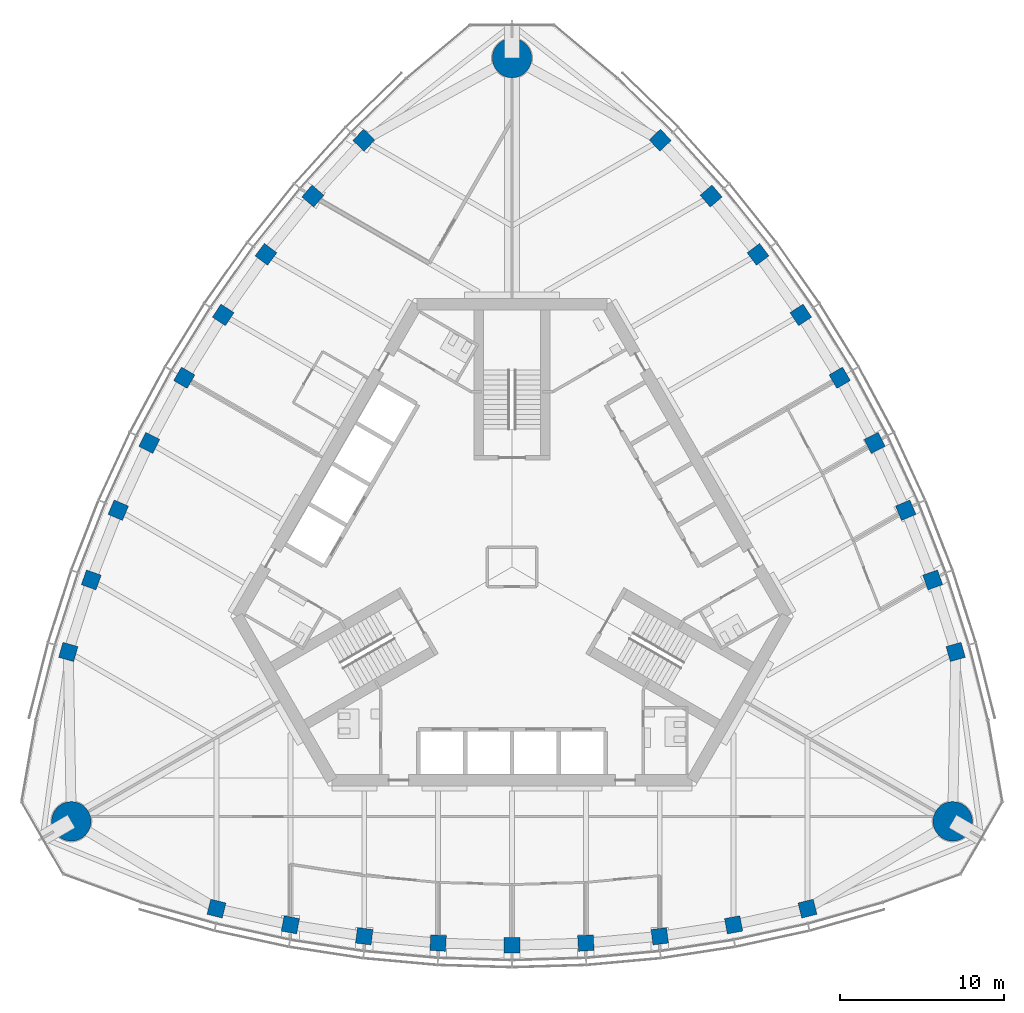
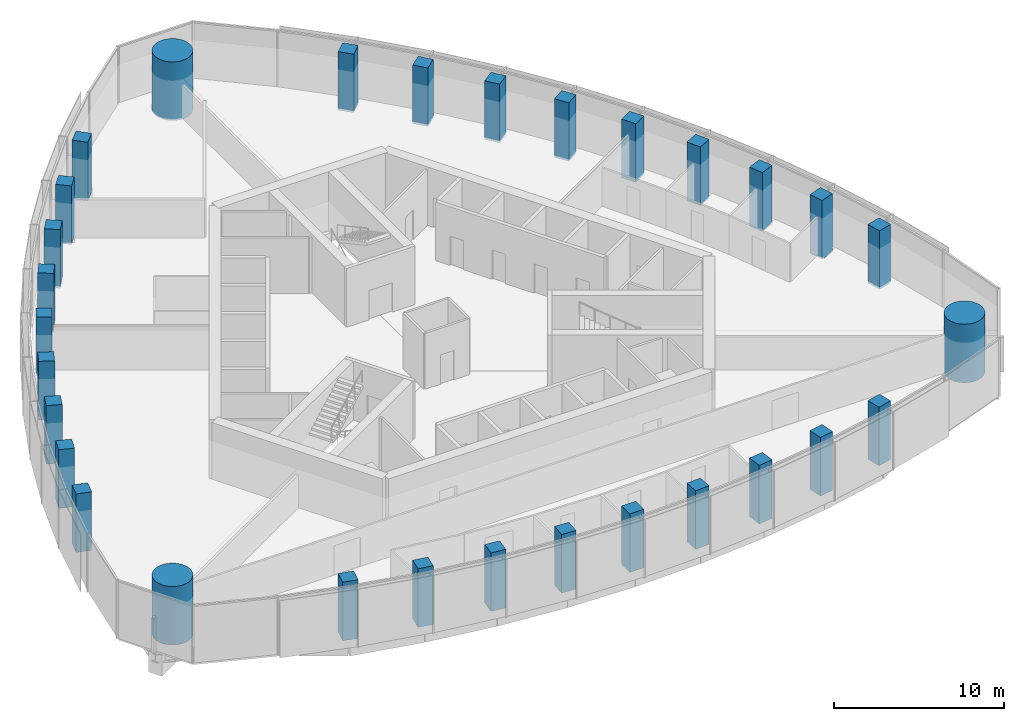
# One storey, part 1 of 16: 30 columns.
"""IFC4 building model written with IfcOpenShell, lengths in metres."""

from ifc_helpers import new_model, si_unit, direction, frame, origin, origin_2d, place, context, subcontext, project, spatial, rectangle, circle, extrude, material, material_profile, profile_set, type_object, element, save


model = new_model("IFC4")

# Units and contexts
model_context = context("Model", 3, precision=1e-05, world=origin(), true_north=direction((0.0, 1.0)))
body_context = subcontext(model_context, "Body", "Model", "MODEL_VIEW")
ifc_project = project(units=[si_unit("LENGTHUNIT", "METRE"), si_unit("AREAUNIT", "SQUARE_METRE"), si_unit("VOLUMEUNIT", "CUBIC_METRE"), si_unit("PLANEANGLEUNIT", "RADIAN"), si_unit("MASSUNIT", "GRAM", prefix="KILO")], contexts=[model_context])

# Site, building, storey
site_placement = place(None, origin())
site = spatial("IfcSite", under=ifc_project, at=site_placement, CompositionType="ELEMENT")
building_placement = place(site_placement, origin())
building = spatial("IfcBuilding", under=site, at=building_placement, Name="Trefoil Bronze Tower", CompositionType="ELEMENT")
storey_placement = place(building_placement, frame((0.0, 0.0, 293.10009765625)))
storey = spatial("IfcBuildingStorey", under=building, at=storey_placement, Name="L67", CompositionType="ELEMENT", Elevation=293.10009765625)

# Columns
ifc_material_1 = material(Name="Concrete B80", Category="concrete")
ifc_material_profile_1 = material_profile(ifc_material_1, circle(Radius=1.199951171875, at=origin_2d()), Name="RC D2400")
ifc_profile_set_1 = profile_set([ifc_material_profile_1], Name="Concrete B80")
column_type_1 = type_object("IfcColumnType", Name="Mega column RC D2400", PredefinedType="COLUMN", material=ifc_profile_set_1)
for number, where, z_axis, x_axis, name in (
    (1, (26.8466796875, -15.5, 0.0), (0.0, 0.0, 1.0), (1.0, 0.0, 0.0), "Mega column K1 L67"),
    (2, (0.0, 31.0, 0.0), (0.0, 0.0, 1.0), (1.0, 0.0, 0.0), "Mega column K2 L67"),
    (3, (-26.8466796875, -15.5, 0.0), (0.0, 0.0, 1.0), (1.0, 0.0, 0.0), "Mega column K3 L67"),
):
    element("IfcColumn", number, at=place(storey_placement, frame(where, z_axis=z_axis, x_axis=x_axis)), inside=storey, type_object=column_type_1, Name=name, PredefinedType="COLUMN", context=body_context, shape_type="SweptSolid", body=[
        extrude(circle(Radius=1.199951171875, at=origin_2d()), origin(), (0.0, 0.0, 1.0), 4.199951171875),
    ])
ifc_material_2 = material(Name="Concrete B80", Category="concrete")
ifc_material_profile_2 = material_profile(ifc_material_2, rectangle(XDim=0.949951171875, YDim=0.949951171875, at=origin_2d()), Name="RC 950x950")
ifc_profile_set_2 = profile_set([ifc_material_profile_2], Name="Concrete B80")
column_type_2 = type_object("IfcColumnType", Name="Tube column RC 950x950", PredefinedType="COLUMN", material=ifc_profile_set_2)
for number, where, z_axis, x_axis, name in (
    (4, (-18.0, -20.816162109375, 0.0), (0.0, 0.0, 1.0), (0.97017777199, -0.242394494031, 0.0), "Tube column F1/-4 L67"),
    (5, (-13.5, -21.802734375, 0.0), (0.0, 0.0, 1.0), (0.983360067227, -0.181667218242, 0.0), "Tube column F1/-3 L67"),
    (6, (-9.0, -22.499267578125, 0.0), (0.0, 0.0, 1.0), (0.992639174109, -0.121109330868, 0.0), "Tube column F1/-2 L67"),
    (7, (-4.5, -22.913818359375, 0.0), (0.0, 0.0, 1.0), (0.998164920349, -0.060554040199, 0.0), "Tube column F1/-1 L67"),
    (8, (0.0, -23.051513671875, 0.0), (0.0, 0.0, 1.0), (1.0, 0.0, 0.0), "Tube column F1/+0 L67"),
    (9, (4.5, -22.913818359375, 0.0), (0.0, 0.0, 1.0), (0.998164920349, 0.060554040199, 0.0), "Tube column F1/+1 L67"),
    (10, (9.0, -22.499267578125, 0.0), (0.0, 0.0, 1.0), (0.992639174109, 0.121109330868, 0.0), "Tube column F1/+2 L67"),
    (11, (13.5, -21.802734375, 0.0), (0.0, 0.0, 1.0), (0.983360067227, 0.181667218242, 0.0), "Tube column F1/+3 L67"),
    (12, (18.0, -20.816162109375, 0.0), (0.0, 0.0, 1.0), (0.97017777199, 0.242394494031, 0.0), "Tube column F1/+4 L67"),
    (13, (27.02734375, -5.180419921875, 0.0), (0.0, 0.0, 1.0), (-0.275169096426, 0.961395843746, 0.0), "Tube column F2/-4 L67"),
    (14, (25.631591796875, -0.7900390625, 0.0), (0.0, 0.0, 1.0), (-0.334351607581, 0.942448408407, 0.0), "Tube column F2/-3 L67"),
    (15, (23.98486328125, 3.455322265625, 0.0), (0.0, 0.0, 1.0), (-0.391435829888, 0.920205407004, 0.0), "Tube column F2/-2 L67"),
    (16, (22.093994140625, 7.559814453125, 0.0), (0.0, 0.0, 1.0), (-0.44664112306, 0.894713198289, 0.0), "Tube column F2/-1 L67"),
    (17, (19.96337890625, 11.52587890625, 0.0), (0.0, 0.0, 1.0), (-0.5, 0.866025403784, 0.0), "Tube column F2/+0 L67"),
    (18, (17.593994140625, 15.35400390625, 0.0), (0.0, 0.0, 1.0), (-0.551523797289, 0.834159158089, 0.0), "Tube column F2/+1 L67"),
    (19, (14.98486328125, 19.043701171875, 0.0), (0.0, 0.0, 1.0), (-0.601203344222, 0.799096076136, 0.0), "Tube column F2/+2 L67"),
    (20, (12.131591796875, 22.5927734375, 0.0), (0.0, 0.0, 1.0), (-0.649008459646, 0.760781190165, 0.0), "Tube column F2/+3 L67"),
    (21, (9.02734375, 25.99658203125, 0.0), (0.0, 0.0, 1.0), (-0.695008675564, 0.719001349715, 0.0), "Tube column F2/+4 L67"),
    (22, (-9.02734375, 25.99658203125, 0.0), (0.0, 0.0, 1.0), (-0.695008675564, -0.719001349715, 0.0), "Tube column F3/-4 L67"),
    (23, (-12.131591796875, 22.5927734375, 0.0), (0.0, 0.0, 1.0), (-0.649008459646, -0.760781190165, 0.0), "Tube column F3/-3 L67"),
    (24, (-14.98486328125, 19.043701171875, 0.0), (0.0, 0.0, 1.0), (-0.601203344222, -0.799096076136, 0.0), "Tube column F3/-2 L67"),
    (25, (-17.593994140625, 15.35400390625, 0.0), (0.0, 0.0, 1.0), (-0.551523797289, -0.834159158089, 0.0), "Tube column F3/-1 L67"),
    (26, (-19.96337890625, 11.52587890625, 0.0), (0.0, 0.0, 1.0), (-0.5, -0.866025403784, 0.0), "Tube column F3/+0 L67"),
    (27, (-22.093994140625, 7.559814453125, 0.0), (0.0, 0.0, 1.0), (-0.44664112306, -0.894713198289, 0.0), "Tube column F3/+1 L67"),
    (28, (-23.98486328125, 3.455322265625, 0.0), (0.0, 0.0, 1.0), (-0.391435829888, -0.920205407004, 0.0), "Tube column F3/+2 L67"),
    (29, (-25.631591796875, -0.7900390625, 0.0), (0.0, 0.0, 1.0), (-0.334351607581, -0.942448408407, 0.0), "Tube column F3/+3 L67"),
    (30, (-27.02734375, -5.180419921875, 0.0), (0.0, 0.0, 1.0), (-0.275169096426, -0.961395843746, 0.0), "Tube column F3/+4 L67"),
):
    element("IfcColumn", number, at=place(storey_placement, frame(where, z_axis=z_axis, x_axis=x_axis)), inside=storey, type_object=column_type_2, Name=name, PredefinedType="COLUMN", context=body_context, shape_type="SweptSolid", body=[
        extrude(rectangle(XDim=0.949951171875, YDim=0.949951171875, at=origin_2d()), origin(), (0.0, 0.0, 1.0), 4.199951171875),
    ])

save(model, "model.ifc")
